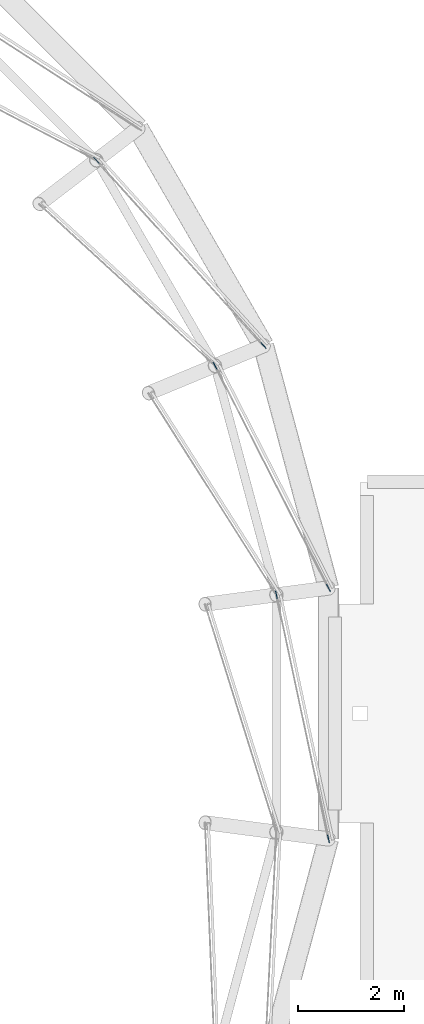
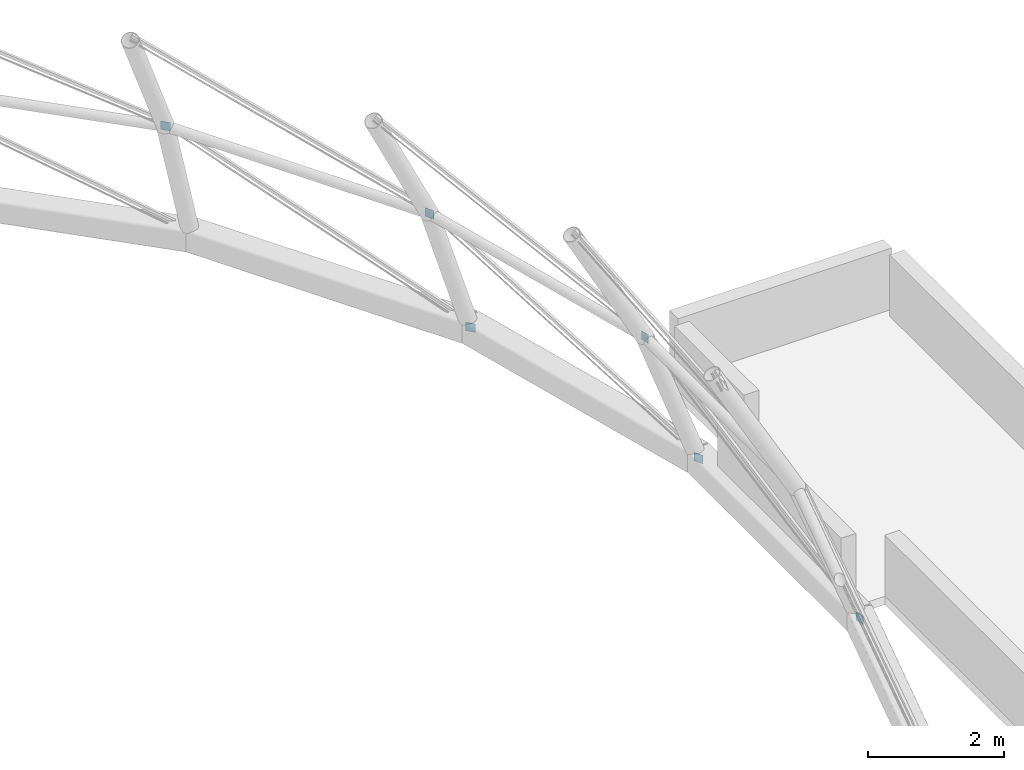
# One storey, part 41 of 59: 6 discrete accessories.
"""IFC4 building model written with IfcOpenShell, lengths in metres."""

import ifcopenshell
import ifcopenshell.guid

model = None  # the IFC model being written
_history = None  # IfcOwnerHistory: only IFC2X3 demands one
_inside = {}  # id of a spatial element -> (the spatial element, [elements in it])
_under = {}  # id of a project, library or spatial element -> (it, [spatial elements below it])
_declared = {}  # id of a project -> (the project, [libraries it declares])
_typed = {}  # id of a type object -> (the type object, [elements of that type])
_made_of = {}  # id of a material, layer set ... -> (it, [elements and type objects made of it])


def new_model(schema):
    """Start an empty IFC model of exactly this schema.

    Asked for "IFC4X3", IfcOpenShell would pick the latest addendum, in which some entities
    have other attributes; the version numbers below select the first issue.
    IFC2X3 requires an IfcOwnerHistory on every rooted entity: one is made here for all.
    """
    global model, _history
    if schema == "IFC4X3":
        model = ifcopenshell.file(schema_version=(4, 3, 0, 0))
    else:
        model = ifcopenshell.file(schema=schema)
    _inside.clear()
    _under.clear()
    _declared.clear()
    _typed.clear()
    _made_of.clear()
    _history = None
    if model.schema == "IFC2X3":
        org = make("IfcOrganization", Name="unknown")
        user = make(
            "IfcPersonAndOrganization",
            ThePerson=make("IfcPerson", FamilyName="unknown"),
            TheOrganization=org,
        )
        app = make(
            "IfcApplication",
            ApplicationDeveloper=org,
            Version="unknown",
            ApplicationFullName="unknown",
            ApplicationIdentifier="unknown",
        )
        _history = make(
            "IfcOwnerHistory",
            OwningUser=user,
            OwningApplication=app,
            ChangeAction="ADDED",
            CreationDate=0,
        )
    return model


def make(cls, **values):
    """One entity of the class cls with the attributes given. An attribute that is None is left unset."""
    return model.create_entity(
        cls, **{name: value for name, value in values.items() if value is not None}
    )


def rooted(cls, **values):
    """An entity with a GlobalId (a new one), such as an element, a storey or a relation."""
    return make(cls, GlobalId=ifcopenshell.guid.new(), OwnerHistory=_history, **values)


def si_unit(unit_type, name, prefix=None):
    """IfcSIUnit, for example si_unit("LENGTHUNIT", "METRE", prefix="MILLI")."""
    return make("IfcSIUnit", UnitType=unit_type, Prefix=prefix, Name=name)


def assignment(units):
    """IfcUnitAssignment: the units of a project."""
    return None if units is None else make("IfcUnitAssignment", Units=units)


def point(xyz):
    """IfcCartesianPoint."""
    return None if xyz is None else make("IfcCartesianPoint", Coordinates=xyz)


def direction(xyz):
    """IfcDirection."""
    return None if xyz is None else make("IfcDirection", DirectionRatios=xyz)


def frame(location, z_axis=None, x_axis=None):
    """IfcAxis2Placement3D, a coordinate frame: its origin and axes. An axis left out is left unset."""
    return make(
        "IfcAxis2Placement3D",
        Location=point(location),
        Axis=direction(z_axis),
        RefDirection=direction(x_axis),
    )


def frame_2d(location, x_axis=None):
    """IfcAxis2Placement2D, a coordinate frame in the plane: its origin and x axis."""
    return make(
        "IfcAxis2Placement2D", Location=point(location), RefDirection=direction(x_axis)
    )


def origin():
    """The frame at (0, 0, 0) with its axes left unset."""
    return frame((0.0, 0.0, 0.0))


def origin_2d():
    """The frame at (0, 0) in the plane with its x axis left unset."""
    return frame_2d((0.0, 0.0))


def place(relative_to, where):
    """IfcLocalPlacement: puts the frame where relative to a parent placement (None: the world)."""
    return make(
        "IfcLocalPlacement", PlacementRelTo=relative_to, RelativePlacement=where
    )


def context(
    kind, dimensions, precision=None, world=None, true_north=None, identifier=None
):
    """IfcGeometricRepresentationContext, for example the 3D "Model" context."""
    return make(
        "IfcGeometricRepresentationContext",
        ContextIdentifier=identifier,
        ContextType=kind,
        CoordinateSpaceDimension=dimensions,
        Precision=precision,
        WorldCoordinateSystem=world,
        TrueNorth=true_north,
    )


def subcontext(parent, identifier, kind, view, scale=None):
    """IfcGeometricRepresentationSubContext, for example "Body" below "Model"."""
    return make(
        "IfcGeometricRepresentationSubContext",
        ContextIdentifier=identifier,
        ContextType=kind,
        ParentContext=parent,
        TargetScale=scale,
        TargetView=view,
    )


def project(units=None, contexts=None):
    """IfcProject with its units and contexts."""
    return rooted(
        "IfcProject",
        Name="project",
        RepresentationContexts=contexts,
        UnitsInContext=assignment(units),
    )


def spatial(cls, under=None, at=None, **own):
    """A site, building, storey or space (cls), placed at a placement, below another one or the project."""
    s = rooted(cls, ObjectPlacement=at, **own)
    if under is not None:
        _under.setdefault(under.id(), (under, []))[1].append(s)
    return s


def profile(cls, at=None, kind="AREA", **sizes):
    """A parametric profile (cls). Its sizes go by their IFC names, for example OverallWidth=200.0."""
    return make(cls, ProfileType=kind, Position=at, **sizes)


def rectangle(**sizes):
    """IfcRectangleProfileDef."""
    return profile("IfcRectangleProfileDef", **sizes)


def extrude(swept, where, along, depth):
    """IfcExtrudedAreaSolid: the profile swept, set in the frame where, extruded along a direction by depth."""
    return make(
        "IfcExtrudedAreaSolid",
        SweptArea=swept,
        Position=where,
        ExtrudedDirection=direction(along),
        Depth=depth,
    )


def shape(context_of_items, identifier, shape_type, items):
    """IfcShapeRepresentation: the items that make up one representation, for example the "Body"."""
    return make(
        "IfcShapeRepresentation",
        ContextOfItems=context_of_items,
        RepresentationIdentifier=identifier,
        RepresentationType=shape_type,
        Items=items,
    )


def material(Name=None, Category=None):
    """IfcMaterial."""
    return make("IfcMaterial", Name=Name, Category=Category)


def made_of(thing, what):
    """Note that an element or type object is made of a material, layer set ...; save() writes the relation."""
    if what is not None:
        _made_of.setdefault(what.id(), (what, []))[1].append(thing)
    return thing


def type_object(cls, material=None, **own):
    """A type object (cls), such as IfcWallType, which elements share."""
    return made_of(rooted(cls, **own), material)


def element(
    cls,
    number,
    at=None,
    inside=None,
    cuts=None,
    type_object=None,
    material=None,
    context=None,
    identifier="Body",
    shape_type=None,
    held_by="IfcProductDefinitionShape",
    body=None,
    shapes=None,
    **own,
):
    """One element of the class cls, such as IfcWall. Its Tag is "e" and its number.

    at: its placement. inside: the storey or other place that contains it. cuts: it is an
    opening in that element (IfcRelVoidsElement). A single representation is given by context,
    identifier, shape_type and body (its items); several are given by shapes. held_by: the class
    of the entity that holds the representations. save() writes the other relations.
    """
    e = rooted(cls, Tag="e%d" % number, ObjectPlacement=at, **own)
    if body is not None:
        shapes = [shape(context, identifier, shape_type, body)]
    if shapes is not None:
        e.Representation = make(held_by, Representations=shapes)
    if inside is not None:
        _inside.setdefault(inside.id(), (inside, []))[1].append(e)
    if cuts is not None:
        rooted(
            "IfcRelVoidsElement", RelatingBuildingElement=cuts, RelatedOpeningElement=e
        )
    if type_object is not None:
        _typed.setdefault(type_object.id(), (type_object, []))[1].append(e)
    return made_of(e, material)


def aggregate(whole, parts):
    """IfcRelAggregates: a whole, such as a stair, and the parts it consists of."""
    return rooted("IfcRelAggregates", RelatingObject=whole, RelatedObjects=parts)


def save(model, path):
    """Write the relations noted so far, then the file.

    IfcRelAggregates (storeys below a building ...), IfcRelContainedInSpatialStructure (elements
    in a storey), IfcRelDefinesByType, IfcRelAssociatesMaterial and IfcRelDeclares: one each for
    every whole, place, type object, material and project.
    """
    for whole, parts in _under.values():
        aggregate(whole, parts)
    for where, things in _inside.values():
        rooted(
            "IfcRelContainedInSpatialStructure",
            RelatedElements=things,
            RelatingStructure=where,
        )
    for kind, things in _typed.values():
        rooted("IfcRelDefinesByType", RelatedObjects=things, RelatingType=kind)
    for what, things in _made_of.values():
        rooted("IfcRelAssociatesMaterial", RelatedObjects=things, RelatingMaterial=what)
    for by, libraries in _declared.values():
        rooted("IfcRelDeclares", RelatingContext=by, RelatedDefinitions=libraries)
    model.write(path)


model = new_model("IFC4")

# Units and contexts
model_context = context("Model", 3, precision=1e-05, world=origin(), true_north=direction((0.0, 1.0)))
body_context = subcontext(model_context, "Body", "Model", "MODEL_VIEW")
ifc_project = project(units=[si_unit("LENGTHUNIT", "METRE"), si_unit("AREAUNIT", "SQUARE_METRE"), si_unit("VOLUMEUNIT", "CUBIC_METRE"), si_unit("PLANEANGLEUNIT", "RADIAN"), si_unit("MASSUNIT", "GRAM", prefix="KILO")], contexts=[model_context])

# Site, building, storey
site_placement = place(None, origin())
site = spatial("IfcSite", under=ifc_project, at=site_placement, CompositionType="ELEMENT")
building_placement = place(site_placement, origin())
building = spatial("IfcBuilding", under=site, at=building_placement, Name="Hortulan Conservatory and Botanical Research Centre", CompositionType="ELEMENT")
storey_placement = place(building_placement, frame((0.0, 0.0, 10.5)))
storey = spatial("IfcBuildingStorey", under=building, at=storey_placement, Name="L02", CompositionType="ELEMENT", Elevation=10.5)

# Discrete accessories
ifc_material = material(Name="Steel Grade 300 plate (AS/NZS 3678, 280 MPa minimum yield)", Category="steel")
discrete_accessory_type = type_object("IfcDiscreteAccessoryType", Name="End Plate 150x10", PredefinedType="BRACKET", material=ifc_material)
for number, where, z_axis, x_axis, name in (
    (1, (67.6162109375, 28.4482421875, 2.51904296875), (0.0, 0.0, 1.0), (0.669727025549, -0.742607373549, 0.0), "Dome rod end plate"),
    (2, (69.8564453125, 24.568115234375, 2.51904296875), (0.0, 0.0, 1.0), (0.454721243795, -0.890633813888, 0.0), "Dome rod end plate"),
    (3, (70.773193359375, 24.94775390625, -0.074951171875), (0.0, 0.0, 1.0), (0.669727025549, -0.742607373549, 0.0), "Dome rod end plate"),
    (4, (71.01611328125, 20.240234375, 2.51904296875), (0.0, 0.0, 1.0), (0.208713999897, -0.977976720708, 0.0), "Dome rod end plate"),
    (5, (72.0, 15.63037109375, -0.074951171875), (0.0, 0.0, 1.0), (0.208713999897, -0.977976720708, 0.0), "Dome rod end plate"),
    (6, (72.0, 20.36962890625, -0.074951171875), (0.0, 0.0, 1.0), (0.454721243795, -0.890633813888, 0.0), "Dome rod end plate"),
):
    element("IfcDiscreteAccessory", number, at=place(storey_placement, frame(where, z_axis=z_axis, x_axis=x_axis)), inside=storey, type_object=discrete_accessory_type, Name=name, PredefinedType="BRACKET", context=body_context, shape_type="SweptSolid", body=[
        extrude(rectangle(XDim=0.14990234375, YDim=0.010009765625, at=origin_2d()), origin(), (0.0, 0.0, 1.0), 0.14990234375),
    ])

save(model, "model.ifc")
